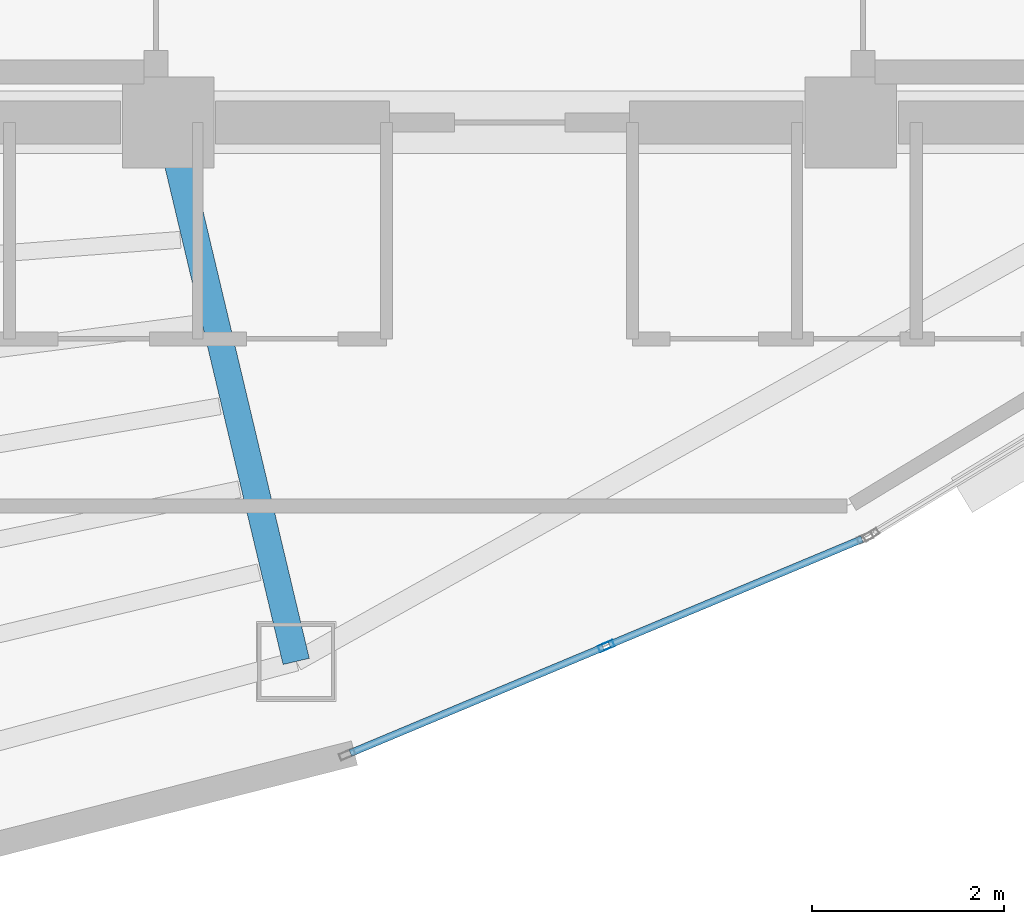
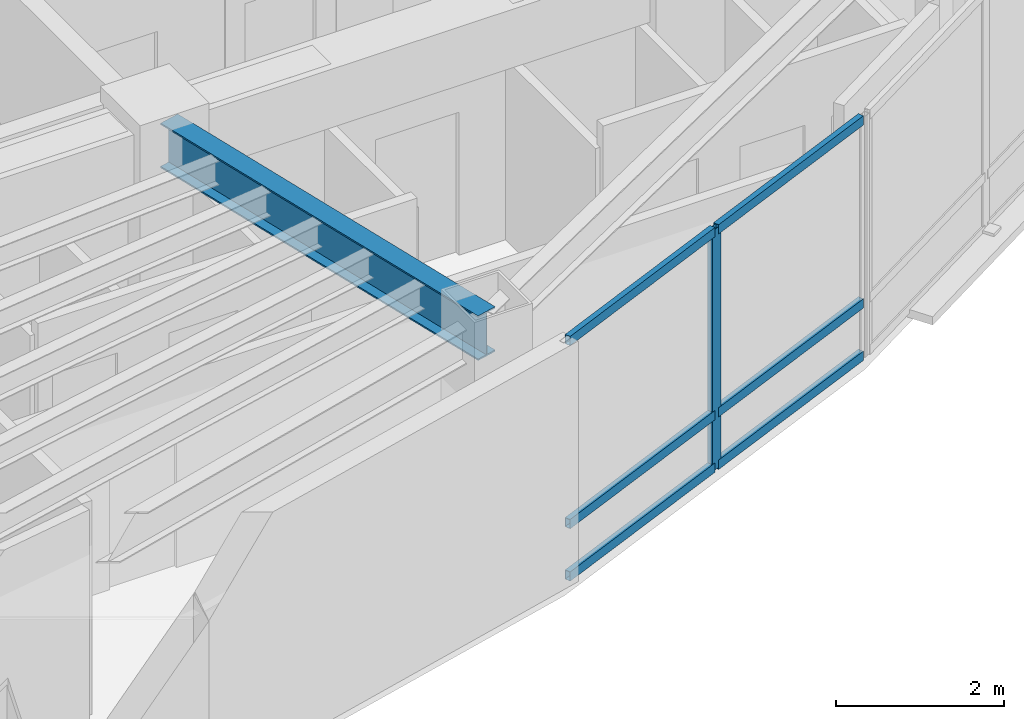
# One storey, part 3 of 16: 7 members, 1 beam, 1 element without a shape of its own.
"""IFC4 building model written with IfcOpenShell, lengths in metres."""

from ifc_helpers import new_model, si_unit, direction, frame, origin, origin_2d, place, context, subcontext, project, spatial, hollow_rectangle, i_section, extrude, material, layer, layer_set, material_profile, profile_set, type_object, element, aggregate, save


model = new_model("IFC4")

# Units and contexts
model_context = context("Model", 3, precision=1e-05, world=origin(), true_north=direction((0.0, 1.0)))
body_context = subcontext(model_context, "Body", "Model", "MODEL_VIEW")
ifc_project = project(units=[si_unit("LENGTHUNIT", "METRE"), si_unit("AREAUNIT", "SQUARE_METRE"), si_unit("VOLUMEUNIT", "CUBIC_METRE"), si_unit("PLANEANGLEUNIT", "RADIAN"), si_unit("MASSUNIT", "GRAM", prefix="KILO")], contexts=[model_context])

# Site, building, storey
site_placement = place(None, origin())
site = spatial("IfcSite", under=ifc_project, at=site_placement, CompositionType="ELEMENT")
building_placement = place(site_placement, origin())
building = spatial("IfcBuilding", under=site, at=building_placement, Name="Menara Vayukalpa", CompositionType="ELEMENT")
storey_placement = place(building_placement, frame((0.0, 0.0, 273.179931640625)))
storey = spatial("IfcBuildingStorey", under=building, at=storey_placement, Name="L69", CompositionType="ELEMENT", Elevation=273.179931640625)

# Beam
ifc_material_1 = material(Name="Steel S355", Category="steel")
ifc_material_profile_1 = material_profile(ifc_material_1, i_section(OverallWidth=0.280029296875, OverallDepth=0.64990234375, WebThickness=0.012939453125, FlangeThickness=0.02197265625, at=origin_2d()), Name="WF 650x280x13x22")
ifc_profile_set_1 = profile_set([ifc_material_profile_1], Name="Steel S355")
beam_type = type_object("IfcBeamType", Name="BM-PG6", PredefinedType="BEAM", material=ifc_profile_set_1)
beam_placement = place(storey_placement, frame((22.10791015625, 16.956787109375, 3.175048828125), z_axis=(0.231167310854, -0.972914011818, 0.0), x_axis=(0.972914011818, 0.231167310854, 0.0)))
element("IfcBeam", 1, at=beam_placement, inside=storey, type_object=beam_type, Name="L69 Primary Radial Girder RG08", PredefinedType="BEAM", context=body_context, shape_type="SweptSolid", body=[
    extrude(i_section(OverallWidth=0.280029296875, OverallDepth=0.64990234375, WebThickness=0.012939453125, FlangeThickness=0.02197265625, at=origin_2d()), origin(), (0.0, 0.0, 1.0), 5.5107421875),
])

# Curtain wall, members
ifc_material_2 = material(Name="Anodised Terracotta Aluminium Alloy 6063-T6", Category="masonry")
ifc_layer = layer(ifc_material_2, 0.1650390625)
ifc_layer_set = layer_set([ifc_layer], Name="Anodised Terracotta Aluminium Alloy 6063-T6")
curtain_wall_type = type_object("IfcCurtainWallType", Name="CW-CW6", PredefinedType="USERDEFINED", material=ifc_layer_set)
curtain_wall_placement = place(storey_placement, origin())
curtain_wall = element("IfcCurtainWall", 2, at=curtain_wall_placement, inside=storey, type_object=curtain_wall_type, Name="L69 Observation and Executive Curtain Wall CW6 16", ObjectType="UNITISED", PredefinedType="USERDEFINED")
ifc_material_3 = material(Name="Anodised Terracotta Aluminium Alloy 6063-T6", Category="masonry")
ifc_material_profile_2 = material_profile(ifc_material_3, hollow_rectangle(XDim=0.070068359375, YDim=0.1650390625, WallThickness=0.00390625, at=origin_2d()), Name="ALU 70x165x4")
ifc_profile_set_2 = profile_set([ifc_material_profile_2], Name="Anodised Terracotta Aluminium Alloy 6063-T6")
member_type_1 = type_object("IfcMemberType", Name="CWM-CW6", PredefinedType="MULLION", material=ifc_profile_set_2)
member_1_placement = place(storey_placement, frame((26.60595703125, 11.7548828125, 0.0), z_axis=(0.0, 0.0, 1.0), x_axis=(-0.385899911703, 0.922540653927, 0.0)))
member_1 = element("IfcMember", 3, at=member_1_placement, type_object=member_type_1, Name="CW6 mullion 2", PredefinedType="MULLION", context=body_context, shape_type="SweptSolid", body=[
    extrude(hollow_rectangle(XDim=0.070068359375, YDim=0.1650390625, WallThickness=0.00390625, at=origin_2d()), origin(), (0.0, 0.0, 1.0), 3.5),
])
ifc_material_4 = material(Name="Anodised Terracotta Aluminium Alloy 6063-T6", Category="masonry")
ifc_material_profile_3 = material_profile(ifc_material_4, hollow_rectangle(XDim=0.074951171875, YDim=0.135009765625, WallThickness=0.00390625, at=origin_2d()), Name="ALU 75x135x4")
ifc_profile_set_3 = profile_set([ifc_material_profile_3], Name="Anodised Terracotta Aluminium Alloy 6063-T6")
member_type_2 = type_object("IfcMemberType", Name="CWT-CW6", PredefinedType="USERDEFINED", material=ifc_profile_set_3)
member_2_placement = place(storey_placement, frame((23.945556640625, 10.64208984375, 0.03759765625), z_axis=(0.922541050276, 0.38589896418, 0.0), x_axis=(-0.38589896418, 0.922541050276, 0.0)))
member_2 = element("IfcMember", 4, at=member_2_placement, type_object=member_type_2, Name="CW6 transom 1.1", ObjectType="TRANSOM", PredefinedType="USERDEFINED", context=body_context, shape_type="SweptSolid", body=[
    extrude(hollow_rectangle(XDim=0.074951171875, YDim=0.135009765625, WallThickness=0.00390625, at=origin_2d()), origin(), (0.0, 0.0, 1.0), 2.848876953125),
])
member_3_placement = place(storey_placement, frame((23.945556640625, 10.64208984375, 0.800048828125), z_axis=(0.922541050276, 0.38589896418, 0.0), x_axis=(-0.38589896418, 0.922541050276, 0.0)))
member_3 = element("IfcMember", 5, at=member_3_placement, type_object=member_type_2, Name="CW6 transom 1.2", ObjectType="TRANSOM", PredefinedType="USERDEFINED", context=body_context, shape_type="SweptSolid", body=[
    extrude(hollow_rectangle(XDim=0.074951171875, YDim=0.135009765625, WallThickness=0.00390625, at=origin_2d()), origin(), (0.0, 0.0, 1.0), 2.848876953125),
])
member_4_placement = place(storey_placement, frame((23.945556640625, 10.64208984375, 3.462646484375), z_axis=(0.922541050276, 0.38589896418, 0.0), x_axis=(-0.38589896418, 0.922541050276, 0.0)))
member_4 = element("IfcMember", 6, at=member_4_placement, type_object=member_type_2, Name="CW6 transom 1.3", ObjectType="TRANSOM", PredefinedType="USERDEFINED", context=body_context, shape_type="SweptSolid", body=[
    extrude(hollow_rectangle(XDim=0.074951171875, YDim=0.135009765625, WallThickness=0.00390625, at=origin_2d()), origin(), (0.0, 0.0, 1.0), 2.848876953125),
])
member_5_placement = place(storey_placement, frame((26.638427734375, 11.768310546875, 0.03759765625), z_axis=(0.922528286758, 0.385929475592, 0.0), x_axis=(-0.385929475592, 0.922528286758, 0.0)))
member_5 = element("IfcMember", 7, at=member_5_placement, type_object=member_type_2, Name="CW6 transom 2.1", ObjectType="TRANSOM", PredefinedType="USERDEFINED", context=body_context, shape_type="SweptSolid", body=[
    extrude(hollow_rectangle(XDim=0.074951171875, YDim=0.135009765625, WallThickness=0.00390625, at=origin_2d()), origin(), (0.0, 0.0, 1.0), 2.8486328125),
])
member_6_placement = place(storey_placement, frame((26.638427734375, 11.768310546875, 0.800048828125), z_axis=(0.922528286758, 0.385929475592, 0.0), x_axis=(-0.385929475592, 0.922528286758, 0.0)))
member_6 = element("IfcMember", 8, at=member_6_placement, type_object=member_type_2, Name="CW6 transom 2.2", ObjectType="TRANSOM", PredefinedType="USERDEFINED", context=body_context, shape_type="SweptSolid", body=[
    extrude(hollow_rectangle(XDim=0.074951171875, YDim=0.135009765625, WallThickness=0.00390625, at=origin_2d()), origin(), (0.0, 0.0, 1.0), 2.8486328125),
])
member_7_placement = place(storey_placement, frame((26.638427734375, 11.768310546875, 3.462646484375), z_axis=(0.922528286758, 0.385929475592, 0.0), x_axis=(-0.385929475592, 0.922528286758, 0.0)))
member_7 = element("IfcMember", 9, at=member_7_placement, type_object=member_type_2, Name="CW6 transom 2.3", ObjectType="TRANSOM", PredefinedType="USERDEFINED", context=body_context, shape_type="SweptSolid", body=[
    extrude(hollow_rectangle(XDim=0.074951171875, YDim=0.135009765625, WallThickness=0.00390625, at=origin_2d()), origin(), (0.0, 0.0, 1.0), 2.8486328125),
])
aggregate(curtain_wall, [member_1, member_2, member_3, member_4, member_5, member_6, member_7])

save(model, "model.ifc")
